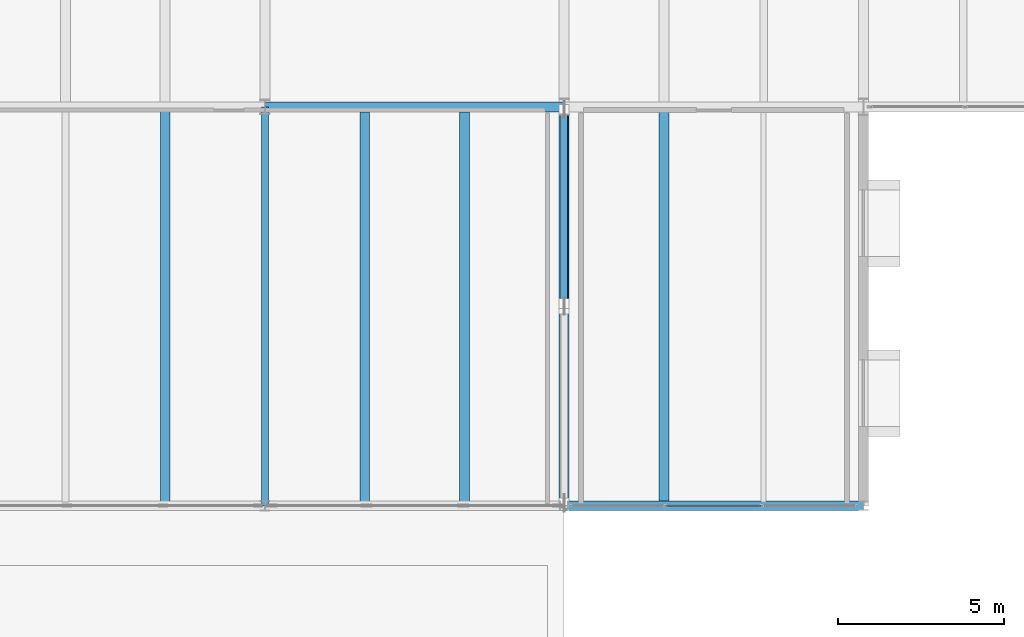
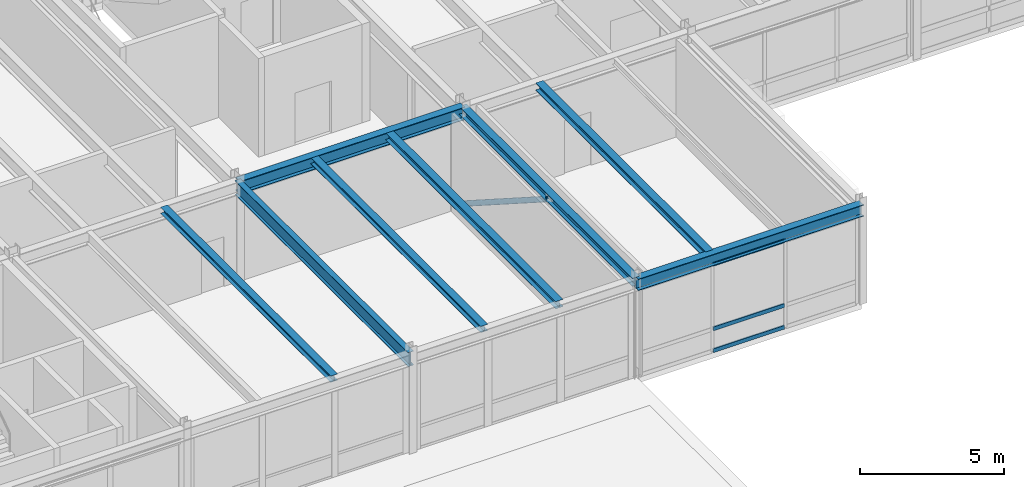
# One storey, part 80 of 142: 8 beams, 4 members, 1 element without a shape of its own.
"""IFC4 building model written with IfcOpenShell, lengths in metres."""

from ifc_helpers import new_model, si_unit, direction, frame, origin, origin_2d, place, context, subcontext, project, spatial, hollow_rectangle, hollow_circle, i_section, extrude, material, layer, layer_set, material_profile, profile_set, type_object, element, aggregate, save


model = new_model("IFC4")

# Units and contexts
model_context = context("Model", 3, precision=1e-05, world=origin(), true_north=direction((0.0, 1.0)))
body_context = subcontext(model_context, "Body", "Model", "MODEL_VIEW")
ifc_project = project(units=[si_unit("LENGTHUNIT", "METRE"), si_unit("AREAUNIT", "SQUARE_METRE"), si_unit("VOLUMEUNIT", "CUBIC_METRE"), si_unit("PLANEANGLEUNIT", "RADIAN"), si_unit("MASSUNIT", "GRAM", prefix="KILO")], contexts=[model_context])

# Site, building, storey
site_placement = place(None, origin())
site = spatial("IfcSite", under=ifc_project, at=site_placement, CompositionType="ELEMENT")
building_placement = place(site_placement, origin())
building = spatial("IfcBuilding", under=site, at=building_placement, Name="Montelvaro Courts of Justice", CompositionType="ELEMENT")
storey_placement = place(building_placement, frame((0.0, 0.0, 14.39990234375)))
storey = spatial("IfcBuildingStorey", under=building, at=storey_placement, Name="L03", CompositionType="ELEMENT", Elevation=14.39990234375)

# Beams
ifc_material_1 = material(Name="Steel S355", Category="steel")
ifc_material_profile_1 = material_profile(ifc_material_1, i_section(OverallWidth=0.280029296875, OverallDepth=0.27001953125, WebThickness=0.008056640625, FlangeThickness=0.012939453125, at=origin_2d()), Name="HEA 280")
ifc_profile_set_1 = profile_set([ifc_material_profile_1], Name="Steel S355")
beam_type_1 = type_object("IfcBeamType", Name="Beam_HEA280", PredefinedType="BEAM", material=ifc_profile_set_1)
for number, where, z_axis, x_axis, name in (
    (1, (114.0, 66.110107421875, 4.065185546875), (0.0, 1.0, 0.0), (-1.0, 0.0, 0.0), "Beam B-14 L03"),
    (2, (120.0, 66.110107421875, 4.065185546875), (0.0, 1.0, 0.0), (-1.0, 0.0, 0.0), "Beam B-14 L03"),
):
    element("IfcBeam", number, at=place(storey_placement, frame(where, z_axis=z_axis, x_axis=x_axis)), inside=storey, type_object=beam_type_1, Name=name, PredefinedType="BEAM", context=body_context, shape_type="SweptSolid", body=[
        extrude(i_section(OverallWidth=0.280029296875, OverallDepth=0.27001953125, WebThickness=0.008056640625, FlangeThickness=0.012939453125, at=origin_2d()), origin(), (0.0, 0.0, 1.0), 11.77978515625),
    ])
ifc_material_profile_2 = material_profile(ifc_material_1, i_section(OverallWidth=0.300048828125, OverallDepth=0.31005859375, WebThickness=0.009033203125, FlangeThickness=0.015380859375, at=origin_2d()), Name="HEA 320")
ifc_profile_set_2 = profile_set([ifc_material_profile_2], Name="Steel S355")
beam_type_2 = type_object("IfcBeamType", Name="Beam_HEA320", PredefinedType="BEAM", material=ifc_profile_set_2)
for number, where, z_axis, x_axis, name in (
    (3, (123.0, 66.110107421875, 4.045166015625), (0.0, 1.0, 0.0), (-1.0, 0.0, 0.0), "Beam B-15 L03"),
    (4, (129.0, 66.110107421875, 4.045166015625), (0.0, 1.0, 0.0), (-1.0, 0.0, 0.0), "Beam B-15 L03"),
):
    element("IfcBeam", number, at=place(storey_placement, frame(where, z_axis=z_axis, x_axis=x_axis)), inside=storey, type_object=beam_type_2, Name=name, PredefinedType="BEAM", context=body_context, shape_type="SweptSolid", body=[
        extrude(i_section(OverallWidth=0.300048828125, OverallDepth=0.31005859375, WebThickness=0.009033203125, FlangeThickness=0.015380859375, at=origin_2d()), origin(), (0.0, 0.0, 1.0), 11.77978515625),
    ])
ifc_material_profile_3 = material_profile(ifc_material_1, i_section(OverallWidth=0.300048828125, OverallDepth=0.35009765625, WebThickness=0.010009765625, FlangeThickness=0.017578125, at=origin_2d()), Name="HEA 360")
ifc_profile_set_3 = profile_set([ifc_material_profile_3], Name="Steel S355")
beam_type_3 = type_object("IfcBeamType", Name="Beam_HEA360", PredefinedType="USERDEFINED", material=ifc_profile_set_3)
beam_1_placement = place(storey_placement, frame((126.0, 66.0, 4.025146484375), z_axis=(0.0, 1.0, 0.0), x_axis=(-1.0, 0.0, 0.0)))
element("IfcBeam", 5, at=beam_1_placement, inside=storey, type_object=beam_type_3, Name="Beam B-16 L03", ObjectType="GIRDER", PredefinedType="USERDEFINED", context=body_context, shape_type="SweptSolid", body=[
    extrude(i_section(OverallWidth=0.300048828125, OverallDepth=0.35009765625, WebThickness=0.010009765625, FlangeThickness=0.017578125, at=origin_2d()), origin(), (0.0, 0.0, 1.0), 12.0),
])
ifc_material_profile_4 = material_profile(ifc_material_1, i_section(OverallWidth=0.300048828125, OverallDepth=0.489990234375, WebThickness=0.011962890625, FlangeThickness=0.02294921875, at=origin_2d()), Name="HEA 500")
ifc_profile_set_4 = profile_set([ifc_material_profile_4], Name="Steel S355")
beam_type_4 = type_object("IfcBeamType", Name="Beam_HEA500", PredefinedType="USERDEFINED", material=ifc_profile_set_4)
beam_2_placement = place(storey_placement, frame((126.0, 66.0, 3.955078125), z_axis=(1.0, 0.0, 0.0), x_axis=(0.0, 1.0, 0.0)))
element("IfcBeam", 6, at=beam_2_placement, inside=storey, type_object=beam_type_4, Name="Beam B-19 L03", ObjectType="GIRDER", PredefinedType="USERDEFINED", context=body_context, shape_type="SweptSolid", body=[
    extrude(i_section(OverallWidth=0.300048828125, OverallDepth=0.489990234375, WebThickness=0.011962890625, FlangeThickness=0.02294921875, at=origin_2d()), origin(), (0.0, 0.0, 1.0), 9.0),
])
ifc_material_profile_5 = material_profile(ifc_material_1, i_section(OverallWidth=0.300048828125, OverallDepth=0.5400390625, WebThickness=0.012451171875, FlangeThickness=0.02392578125, at=origin_2d()), Name="HEA 550")
ifc_profile_set_5 = profile_set([ifc_material_profile_5], Name="Steel S355")
beam_type_5 = type_object("IfcBeamType", Name="Beam_HEA550", PredefinedType="USERDEFINED", material=ifc_profile_set_5)
beam_3_placement = place(storey_placement, frame((117.0, 78.0, 3.93017578125), z_axis=(1.0, 0.0, 0.0), x_axis=(0.0, 1.0, 0.0)))
element("IfcBeam", 7, at=beam_3_placement, inside=storey, type_object=beam_type_5, Name="Beam B-20 L03", ObjectType="GIRDER", PredefinedType="USERDEFINED", context=body_context, shape_type="SweptSolid", body=[
    extrude(i_section(OverallWidth=0.300048828125, OverallDepth=0.5400390625, WebThickness=0.012451171875, FlangeThickness=0.02392578125, at=origin_2d()), origin(), (0.0, 0.0, 1.0), 9.0),
])
ifc_material_profile_6 = material_profile(ifc_material_1, i_section(OverallWidth=0.219970703125, OverallDepth=0.60009765625, WebThickness=0.011962890625, FlangeThickness=0.01904296875, at=origin_2d()), Name="IPE 600")
ifc_profile_set_6 = profile_set([ifc_material_profile_6], Name="Steel S355")
beam_type_6 = type_object("IfcBeamType", Name="Beam_IPE600", PredefinedType="USERDEFINED", material=ifc_profile_set_6)
beam_4_placement = place(storey_placement, frame((117.0, 66.0, 3.900146484375), z_axis=(0.0, 1.0, 0.0), x_axis=(-1.0, 0.0, 0.0)))
element("IfcBeam", 8, at=beam_4_placement, inside=storey, type_object=beam_type_6, Name="Beam B-12 L03", ObjectType="GIRDER", PredefinedType="USERDEFINED", context=body_context, shape_type="SweptSolid", body=[
    extrude(i_section(OverallWidth=0.219970703125, OverallDepth=0.60009765625, WebThickness=0.011962890625, FlangeThickness=0.01904296875, at=origin_2d()), origin(), (0.0, 0.0, 1.0), 12.0),
])

# Curtain wall, members
ifc_material_2 = material(Name="Anodised aluminium EN AW-6063", Category="aluminium")
ifc_layer = layer(ifc_material_2, 0.159912109375)
ifc_layer_set = layer_set([ifc_layer], Name="Anodised aluminium EN AW-6063")
curtain_wall_type = type_object("IfcCurtainWallType", Name="CurtainWall_18_868x418", PredefinedType="USERDEFINED", material=ifc_layer_set)
curtain_wall_placement = place(storey_placement, origin())
curtain_wall = element("IfcCurtainWall", 9, at=curtain_wall_placement, inside=storey, type_object=curtain_wall_type, Name="Curtain Wall CW-18 (L03)", ObjectType="CURTAIN WALL", PredefinedType="USERDEFINED")
ifc_material_profile_7 = material_profile(ifc_material_2, hollow_rectangle(XDim=0.06005859375, YDim=0.159912109375, WallThickness=0.00439453125, at=origin_2d()), Name="ALU-T 60x160")
ifc_profile_set_7 = profile_set([ifc_material_profile_7], Name="Anodised aluminium EN AW-6063")
member_type_1 = type_object("IfcMemberType", Name="CurtainWall_Transom_60x160", PredefinedType="USERDEFINED", material=ifc_profile_set_7)
member_1_placement = place(storey_placement, frame((129.074951171875, 66.0, 0.030029296875), z_axis=(1.0, 0.0, 0.0), x_axis=(0.0, 1.0, 0.0)))
member_1 = element("IfcMember", 10, at=member_1_placement, type_object=member_type_1, Name="CW-18 transom 2.1", ObjectType="TRANSOM", PredefinedType="USERDEFINED", context=body_context, shape_type="SweptSolid", body=[
    extrude(hollow_rectangle(XDim=0.06005859375, YDim=0.159912109375, WallThickness=0.00439453125, at=origin_2d()), origin(), (0.0, 0.0, 1.0), 2.840087890625),
])
member_2_placement = place(storey_placement, frame((129.074951171875, 66.0, 0.9501953125), z_axis=(1.0, 0.0, 0.0), x_axis=(0.0, 1.0, 0.0)))
member_2 = element("IfcMember", 11, at=member_2_placement, type_object=member_type_1, Name="CW-18 transom 2.2", ObjectType="TRANSOM", PredefinedType="USERDEFINED", context=body_context, shape_type="SweptSolid", body=[
    extrude(hollow_rectangle(XDim=0.06005859375, YDim=0.159912109375, WallThickness=0.00439453125, at=origin_2d()), origin(), (0.0, 0.0, 1.0), 2.840087890625),
])
member_3_placement = place(storey_placement, frame((129.074951171875, 66.0, 3.675048828125), z_axis=(1.0, 0.0, 0.0), x_axis=(0.0, 1.0, 0.0)))
member_3 = element("IfcMember", 12, at=member_3_placement, type_object=member_type_1, Name="CW-18 transom 2.3", ObjectType="TRANSOM", PredefinedType="USERDEFINED", context=body_context, shape_type="SweptSolid", body=[
    extrude(hollow_rectangle(XDim=0.06005859375, YDim=0.159912109375, WallThickness=0.00439453125, at=origin_2d()), origin(), (0.0, 0.0, 1.0), 2.840087890625),
])
aggregate(curtain_wall, [member_1, member_2, member_3])

# Member
ifc_material_profile_8 = material_profile(ifc_material_1, hollow_circle(Radius=0.109619140625, WallThickness=0.010009765625, at=origin_2d()), Name="CHS 219.1x10")
ifc_profile_set_8 = profile_set([ifc_material_profile_8], Name="Steel S355")
member_type_2 = type_object("IfcMemberType", Name="Mem_CHS219_Brace", PredefinedType="BRACE", material=ifc_profile_set_8)
member_4_placement = place(storey_placement, frame((126.0, 77.919921875, 0.080078125), z_axis=(0.0, -0.842188127778, 0.539183788174), x_axis=(1.0, 0.0, 0.0)))
element("IfcMember", 13, at=member_4_placement, inside=storey, type_object=member_type_2, Name="Lateral Braced Frame CBF3 Diagonal 2 (L03)", PredefinedType="BRACE", context=body_context, shape_type="SweptSolid", body=[
    extrude(hollow_circle(Radius=0.109619140625, WallThickness=0.010009765625, at=origin_2d()), origin(), (0.0, 0.0, 1.0), 7.029296875),
])

save(model, "model.ifc")
